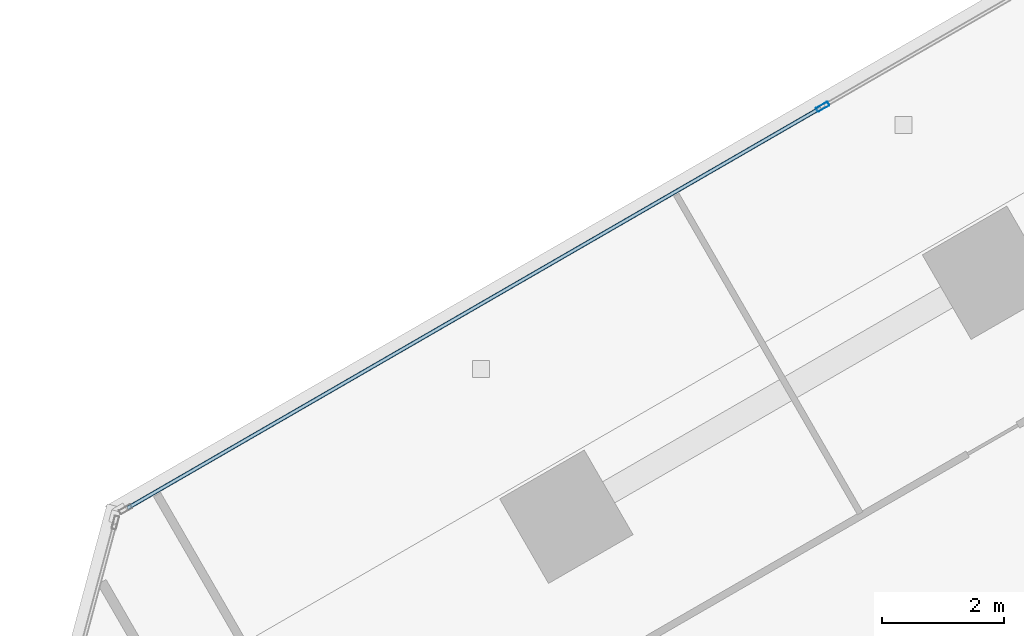
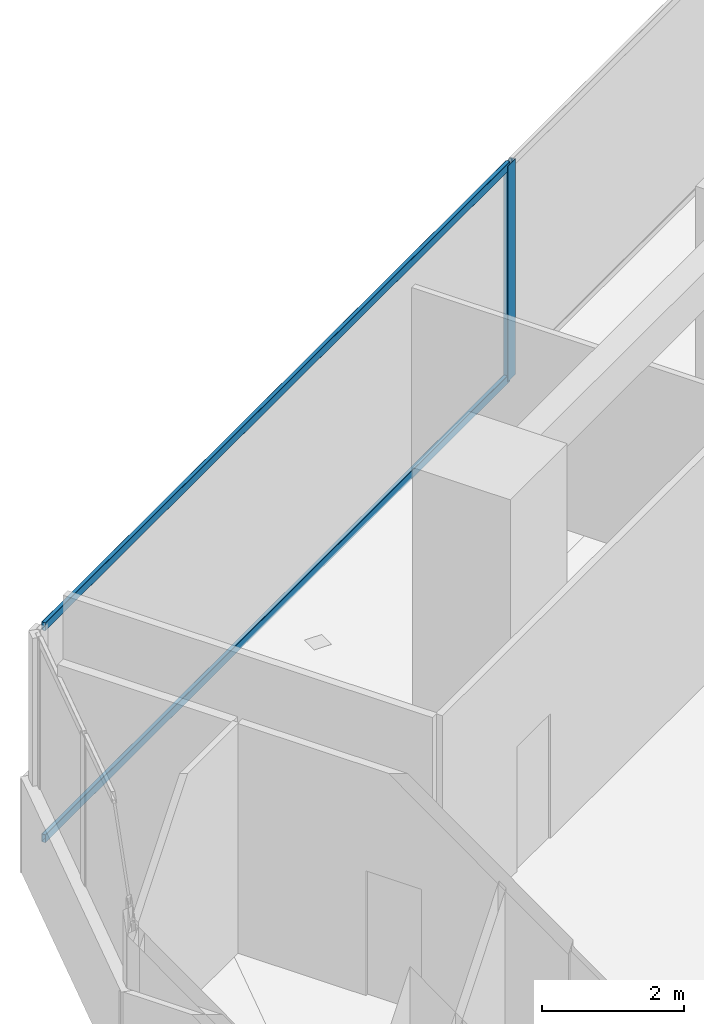
# One storey, part 8 of 16: 3 members, 1 element without a shape of its own.
"""IFC4 building model written with IfcOpenShell, lengths in metres."""

import ifcopenshell
import ifcopenshell.guid

model = None  # the IFC model being written
_history = None  # IfcOwnerHistory: only IFC2X3 demands one
_inside = {}  # id of a spatial element -> (the spatial element, [elements in it])
_under = {}  # id of a project, library or spatial element -> (it, [spatial elements below it])
_declared = {}  # id of a project -> (the project, [libraries it declares])
_typed = {}  # id of a type object -> (the type object, [elements of that type])
_made_of = {}  # id of a material, layer set ... -> (it, [elements and type objects made of it])


def new_model(schema):
    """Start an empty IFC model of exactly this schema.

    Asked for "IFC4X3", IfcOpenShell would pick the latest addendum, in which some entities
    have other attributes; the version numbers below select the first issue.
    IFC2X3 requires an IfcOwnerHistory on every rooted entity: one is made here for all.
    """
    global model, _history
    if schema == "IFC4X3":
        model = ifcopenshell.file(schema_version=(4, 3, 0, 0))
    else:
        model = ifcopenshell.file(schema=schema)
    _inside.clear()
    _under.clear()
    _declared.clear()
    _typed.clear()
    _made_of.clear()
    _history = None
    if model.schema == "IFC2X3":
        org = make("IfcOrganization", Name="unknown")
        user = make(
            "IfcPersonAndOrganization",
            ThePerson=make("IfcPerson", FamilyName="unknown"),
            TheOrganization=org,
        )
        app = make(
            "IfcApplication",
            ApplicationDeveloper=org,
            Version="unknown",
            ApplicationFullName="unknown",
            ApplicationIdentifier="unknown",
        )
        _history = make(
            "IfcOwnerHistory",
            OwningUser=user,
            OwningApplication=app,
            ChangeAction="ADDED",
            CreationDate=0,
        )
    return model


def make(cls, **values):
    """One entity of the class cls with the attributes given. An attribute that is None is left unset."""
    return model.create_entity(
        cls, **{name: value for name, value in values.items() if value is not None}
    )


def rooted(cls, **values):
    """An entity with a GlobalId (a new one), such as an element, a storey or a relation."""
    return make(cls, GlobalId=ifcopenshell.guid.new(), OwnerHistory=_history, **values)


def si_unit(unit_type, name, prefix=None):
    """IfcSIUnit, for example si_unit("LENGTHUNIT", "METRE", prefix="MILLI")."""
    return make("IfcSIUnit", UnitType=unit_type, Prefix=prefix, Name=name)


def assignment(units):
    """IfcUnitAssignment: the units of a project."""
    return None if units is None else make("IfcUnitAssignment", Units=units)


def point(xyz):
    """IfcCartesianPoint."""
    return None if xyz is None else make("IfcCartesianPoint", Coordinates=xyz)


def direction(xyz):
    """IfcDirection."""
    return None if xyz is None else make("IfcDirection", DirectionRatios=xyz)


def frame(location, z_axis=None, x_axis=None):
    """IfcAxis2Placement3D, a coordinate frame: its origin and axes. An axis left out is left unset."""
    return make(
        "IfcAxis2Placement3D",
        Location=point(location),
        Axis=direction(z_axis),
        RefDirection=direction(x_axis),
    )


def frame_2d(location, x_axis=None):
    """IfcAxis2Placement2D, a coordinate frame in the plane: its origin and x axis."""
    return make(
        "IfcAxis2Placement2D", Location=point(location), RefDirection=direction(x_axis)
    )


def origin():
    """The frame at (0, 0, 0) with its axes left unset."""
    return frame((0.0, 0.0, 0.0))


def origin_2d():
    """The frame at (0, 0) in the plane with its x axis left unset."""
    return frame_2d((0.0, 0.0))


def place(relative_to, where):
    """IfcLocalPlacement: puts the frame where relative to a parent placement (None: the world)."""
    return make(
        "IfcLocalPlacement", PlacementRelTo=relative_to, RelativePlacement=where
    )


def context(
    kind, dimensions, precision=None, world=None, true_north=None, identifier=None
):
    """IfcGeometricRepresentationContext, for example the 3D "Model" context."""
    return make(
        "IfcGeometricRepresentationContext",
        ContextIdentifier=identifier,
        ContextType=kind,
        CoordinateSpaceDimension=dimensions,
        Precision=precision,
        WorldCoordinateSystem=world,
        TrueNorth=true_north,
    )


def subcontext(parent, identifier, kind, view, scale=None):
    """IfcGeometricRepresentationSubContext, for example "Body" below "Model"."""
    return make(
        "IfcGeometricRepresentationSubContext",
        ContextIdentifier=identifier,
        ContextType=kind,
        ParentContext=parent,
        TargetScale=scale,
        TargetView=view,
    )


def project(units=None, contexts=None):
    """IfcProject with its units and contexts."""
    return rooted(
        "IfcProject",
        Name="project",
        RepresentationContexts=contexts,
        UnitsInContext=assignment(units),
    )


def spatial(cls, under=None, at=None, **own):
    """A site, building, storey or space (cls), placed at a placement, below another one or the project."""
    s = rooted(cls, ObjectPlacement=at, **own)
    if under is not None:
        _under.setdefault(under.id(), (under, []))[1].append(s)
    return s


def profile(cls, at=None, kind="AREA", **sizes):
    """A parametric profile (cls). Its sizes go by their IFC names, for example OverallWidth=200.0."""
    return make(cls, ProfileType=kind, Position=at, **sizes)


def hollow_rectangle(**sizes):
    """IfcRectangleHollowProfileDef."""
    return profile("IfcRectangleHollowProfileDef", **sizes)


def extrude(swept, where, along, depth):
    """IfcExtrudedAreaSolid: the profile swept, set in the frame where, extruded along a direction by depth."""
    return make(
        "IfcExtrudedAreaSolid",
        SweptArea=swept,
        Position=where,
        ExtrudedDirection=direction(along),
        Depth=depth,
    )


def shape(context_of_items, identifier, shape_type, items):
    """IfcShapeRepresentation: the items that make up one representation, for example the "Body"."""
    return make(
        "IfcShapeRepresentation",
        ContextOfItems=context_of_items,
        RepresentationIdentifier=identifier,
        RepresentationType=shape_type,
        Items=items,
    )


def source(mapping_origin, context_of_items, identifier, shape_type, items):
    """IfcRepresentationMap: a shape defined once, which mapped items show again and again."""
    return make(
        "IfcRepresentationMap",
        MappingOrigin=mapping_origin,
        MappedRepresentation=shape(context_of_items, identifier, shape_type, items),
    )


def transform(
    local_origin,
    x_axis=None,
    y_axis=None,
    z_axis=None,
    scale=None,
    scale2=None,
    scale3=None,
    uniform=True,
):
    """IfcCartesianTransformationOperator3D, or its non-uniform kind. x_axis, y_axis, z_axis: its Axis1, 2, 3."""
    if uniform:
        return make(
            "IfcCartesianTransformationOperator3D",
            Axis1=direction(x_axis),
            Axis2=direction(y_axis),
            LocalOrigin=point(local_origin),
            Scale=scale,
            Axis3=direction(z_axis),
        )
    return make(
        "IfcCartesianTransformationOperator3DnonUniform",
        Axis1=direction(x_axis),
        Axis2=direction(y_axis),
        LocalOrigin=point(local_origin),
        Scale=scale,
        Axis3=direction(z_axis),
        Scale2=scale2,
        Scale3=scale3,
    )


def mapped(mapping_source, mapping_target):
    """IfcMappedItem: shows the shape of a source again, moved by a transform."""
    return make(
        "IfcMappedItem", MappingSource=mapping_source, MappingTarget=mapping_target
    )


def material(Name=None, Category=None):
    """IfcMaterial."""
    return make("IfcMaterial", Name=Name, Category=Category)


def material_profile(
    of_material, cross_section, Name=None, Category=None, Priority=None
):
    """IfcMaterialProfile: a cross section and its material."""
    return make(
        "IfcMaterialProfile",
        Name=Name,
        Material=of_material,
        Profile=cross_section,
        Priority=Priority,
        Category=Category,
    )


def profile_set(profiles, Name=None, composite=None):
    """IfcMaterialProfileSet."""
    return make(
        "IfcMaterialProfileSet",
        Name=Name,
        MaterialProfiles=profiles,
        CompositeProfile=composite,
    )


def made_of(thing, what):
    """Note that an element or type object is made of a material, layer set ...; save() writes the relation."""
    if what is not None:
        _made_of.setdefault(what.id(), (what, []))[1].append(thing)
    return thing


def type_object(cls, material=None, **own):
    """A type object (cls), such as IfcWallType, which elements share."""
    return made_of(rooted(cls, **own), material)


def element(
    cls,
    number,
    at=None,
    inside=None,
    cuts=None,
    type_object=None,
    material=None,
    context=None,
    identifier="Body",
    shape_type=None,
    held_by="IfcProductDefinitionShape",
    body=None,
    shapes=None,
    **own,
):
    """One element of the class cls, such as IfcWall. Its Tag is "e" and its number.

    at: its placement. inside: the storey or other place that contains it. cuts: it is an
    opening in that element (IfcRelVoidsElement). A single representation is given by context,
    identifier, shape_type and body (its items); several are given by shapes. held_by: the class
    of the entity that holds the representations. save() writes the other relations.
    """
    e = rooted(cls, Tag="e%d" % number, ObjectPlacement=at, **own)
    if body is not None:
        shapes = [shape(context, identifier, shape_type, body)]
    if shapes is not None:
        e.Representation = make(held_by, Representations=shapes)
    if inside is not None:
        _inside.setdefault(inside.id(), (inside, []))[1].append(e)
    if cuts is not None:
        rooted(
            "IfcRelVoidsElement", RelatingBuildingElement=cuts, RelatedOpeningElement=e
        )
    if type_object is not None:
        _typed.setdefault(type_object.id(), (type_object, []))[1].append(e)
    return made_of(e, material)


def aggregate(whole, parts):
    """IfcRelAggregates: a whole, such as a stair, and the parts it consists of."""
    return rooted("IfcRelAggregates", RelatingObject=whole, RelatedObjects=parts)


def save(model, path):
    """Write the relations noted so far, then the file.

    IfcRelAggregates (storeys below a building ...), IfcRelContainedInSpatialStructure (elements
    in a storey), IfcRelDefinesByType, IfcRelAssociatesMaterial and IfcRelDeclares: one each for
    every whole, place, type object, material and project.
    """
    for whole, parts in _under.values():
        aggregate(whole, parts)
    for where, things in _inside.values():
        rooted(
            "IfcRelContainedInSpatialStructure",
            RelatedElements=things,
            RelatingStructure=where,
        )
    for kind, things in _typed.values():
        rooted("IfcRelDefinesByType", RelatedObjects=things, RelatingType=kind)
    for what, things in _made_of.values():
        rooted("IfcRelAssociatesMaterial", RelatedObjects=things, RelatingMaterial=what)
    for by, libraries in _declared.values():
        rooted("IfcRelDeclares", RelatingContext=by, RelatedDefinitions=libraries)
    model.write(path)


model = new_model("IFC4")

# Units and contexts
model_context = context("Model", 3, precision=1e-05, world=origin(), true_north=direction((0.0, 1.0)))
body_context = subcontext(model_context, "Body", "Model", "MODEL_VIEW")
ifc_project = project(units=[si_unit("LENGTHUNIT", "METRE"), si_unit("AREAUNIT", "SQUARE_METRE"), si_unit("VOLUMEUNIT", "CUBIC_METRE"), si_unit("PLANEANGLEUNIT", "RADIAN"), si_unit("MASSUNIT", "GRAM", prefix="KILO")], contexts=[model_context])

# Site, building, storey
site_placement = place(None, origin())
site = spatial("IfcSite", under=ifc_project, at=site_placement, CompositionType="ELEMENT")
building_placement = place(site_placement, origin())
building = spatial("IfcBuilding", under=site, at=building_placement, Name="Torre Montelarca", CompositionType="ELEMENT")
storey_placement = place(building_placement, frame((0.0, 0.0, 319.800048828125)))
storey = spatial("IfcBuildingStorey", under=building, at=storey_placement, Name="L72", CompositionType="ELEMENT", Elevation=319.800048828125)

# Curtain wall, members
ifc_material_1 = material(Name="Insulated low-E laminated glass", Category="glass")
curtain_wall_type = type_object("IfcCurtainWallType", Name="CW-SYS-Z4", PredefinedType="USERDEFINED", material=ifc_material_1)
curtain_wall_placement = place(storey_placement, origin())
curtain_wall = element("IfcCurtainWall", 1, at=curtain_wall_placement, inside=storey, type_object=curtain_wall_type, Name="L72 Curtain Wall Run CW-T3-L72-E10-B1", ObjectType="UNITISED GLAZING", PredefinedType="USERDEFINED")
ifc_material_2 = material(Name="Anodised aluminium AA 6063-T6", Category="aluminium")
ifc_material_profile_1 = material_profile(ifc_material_2, hollow_rectangle(XDim=0.074951171875, YDim=0.219970703125, WallThickness=0.0048828125, InnerFilletRadius=0.0048828125, OuterFilletRadius=0.010009765625, at=origin_2d()), Name="ALU75X220X5", Category="aluminium")
ifc_profile_set_1 = profile_set([ifc_material_profile_1], Name="Anodised aluminium AA 6063-T6")
member_type_1 = type_object("IfcMemberType", Name="CWM-ALU220", PredefinedType="MULLION", material=ifc_profile_set_1)
shared_shape_1 = source(origin(), body_context, "Body", "SweptSolid", [
    extrude(hollow_rectangle(XDim=0.074951171875, YDim=0.219970703125, WallThickness=0.0048828125, InnerFilletRadius=0.0048828125, OuterFilletRadius=0.010009765625, at=origin_2d()), origin(), (0.0, 0.0, 1.0), 3.719970703125),
])
member_1_placement = place(storey_placement, frame((10.348876953125, 49.314208984375, 0.0), z_axis=(0.0, 0.0, 1.0), x_axis=(0.500000111201, -0.866025339582, 0.0)))
member_1 = element("IfcMember", 2, at=member_1_placement, type_object=member_type_1, Name="CW mullion 2", PredefinedType="MULLION", context=body_context, shape_type="MappedRepresentation", body=[
    mapped(shared_shape_1, transform((0.0, 0.0, 0.0), scale=1.0)),
])
ifc_material_profile_2 = material_profile(ifc_material_2, hollow_rectangle(XDim=0.06494140625, YDim=0.139892578125, WallThickness=0.00390625, InnerFilletRadius=0.00390625, OuterFilletRadius=0.008056640625, at=origin_2d()), Name="ALU65X140X4", Category="aluminium")
ifc_profile_set_2 = profile_set([ifc_material_profile_2], Name="Anodised aluminium AA 6063-T6")
member_type_2 = type_object("IfcMemberType", Name="CWT-ALU140", PredefinedType="USERDEFINED", material=ifc_profile_set_2)
shared_shape_2 = source(origin(), body_context, "Body", "SweptSolid", [
    extrude(hollow_rectangle(XDim=0.06494140625, YDim=0.139892578125, WallThickness=0.00390625, InnerFilletRadius=0.00390625, OuterFilletRadius=0.008056640625, at=origin_2d()), origin(), (0.0, 0.0, 1.0), 13.121826171875),
])
member_2_placement = place(storey_placement, frame((10.31640625, 49.29541015625, 0.032470703125), z_axis=(-0.866028188362, -0.49999517694, 0.0), x_axis=(0.49999517694, -0.866028188362, 0.0)))
member_2 = element("IfcMember", 3, at=member_2_placement, type_object=member_type_2, Name="CW transom 2.1", ObjectType="TRANSOM", PredefinedType="USERDEFINED", context=body_context, shape_type="MappedRepresentation", body=[
    mapped(shared_shape_2, transform((0.0, 0.0, 0.0), scale=1.0)),
])
member_3_placement = place(storey_placement, frame((10.31640625, 49.29541015625, 3.6875), z_axis=(-0.866028188362, -0.49999517694, 0.0), x_axis=(0.49999517694, -0.866028188362, 0.0)))
member_3 = element("IfcMember", 4, at=member_3_placement, type_object=member_type_2, Name="CW transom 2.2", ObjectType="TRANSOM", PredefinedType="USERDEFINED", context=body_context, shape_type="MappedRepresentation", body=[
    mapped(shared_shape_2, transform((0.0, 0.0, 0.0), scale=1.0)),
])
aggregate(curtain_wall, [member_1, member_2, member_3])

save(model, "model.ifc")
